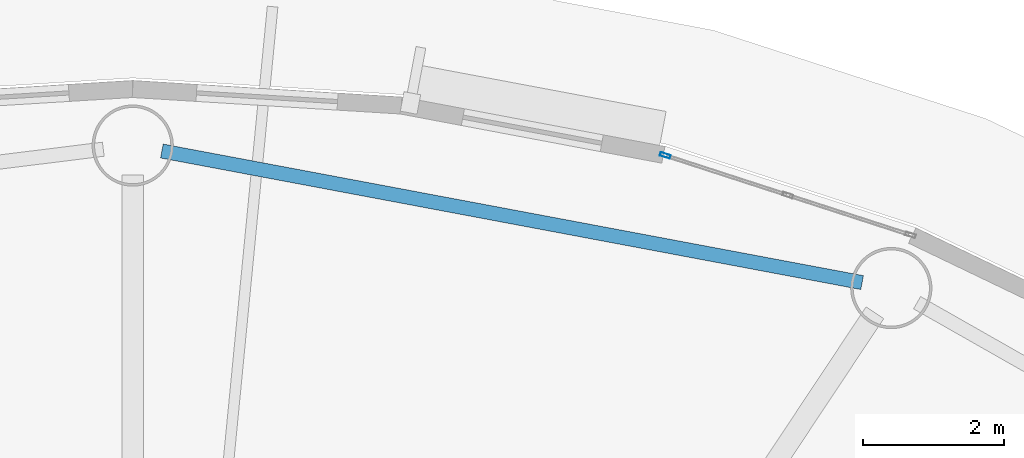
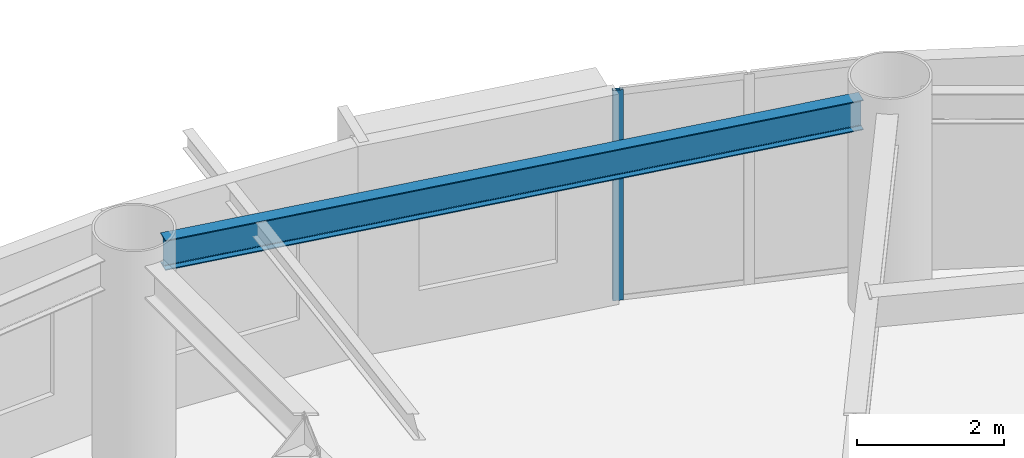
# One storey, part 4 of 19: 1 beam, 1 member, 1 element without a shape of its own.
"""IFC4 building model written with IfcOpenShell, lengths in metres."""

from ifc_helpers import new_model, si_unit, direction, frame, origin, origin_2d, place, context, subcontext, project, spatial, hollow_rectangle, i_section, extrude, source, transform, mapped, material, layer, layer_set, material_profile, profile_set, type_object, element, aggregate, save


model = new_model("IFC4")

# Units and contexts
model_context = context("Model", 3, precision=1e-05, world=origin(), true_north=direction((0.0, 1.0)))
body_context = subcontext(model_context, "Body", "Model", "MODEL_VIEW")
ifc_project = project(units=[si_unit("LENGTHUNIT", "METRE"), si_unit("AREAUNIT", "SQUARE_METRE"), si_unit("VOLUMEUNIT", "CUBIC_METRE"), si_unit("PLANEANGLEUNIT", "RADIAN"), si_unit("MASSUNIT", "GRAM", prefix="KILO")], contexts=[model_context])

# Site, building, storey
site_placement = place(None, origin())
site = spatial("IfcSite", under=ifc_project, at=site_placement, CompositionType="ELEMENT")
building_placement = place(site_placement, origin())
building = spatial("IfcBuilding", under=site, at=building_placement, Name="Linh Dai School and Residence Tower", CompositionType="ELEMENT")
storey_placement = place(building_placement, frame((0.0, 0.0, 210.300048828125)))
storey = spatial("IfcBuildingStorey", under=building, at=storey_placement, Name="L51", CompositionType="ELEMENT", Elevation=210.300048828125)

# Beam
ifc_material_1 = material(Name="Structural Steel S355JR", Category="steel")
ifc_material_profile_1 = material_profile(ifc_material_1, i_section(OverallWidth=0.199951171875, OverallDepth=0.5, WebThickness=0.01025390625, FlangeThickness=0.01611328125, FilletRadius=0.02099609375, at=origin_2d()), Name="IPE 500")
ifc_profile_set_1 = profile_set([ifc_material_profile_1], Name="Structural Steel S355JR")
beam_type = type_object("IfcBeamType", Name="BM-RB50", PredefinedType="BEAM", material=ifc_profile_set_1)
beam_placement = place(storey_placement, frame((46.32177734375, 43.240966796875, 3.25), z_axis=(-0.982806607762, 0.184637947722, 0.0), x_axis=(-0.184637947722, -0.982806607762, 0.0)))
element("IfcBeam", 1, at=beam_placement, inside=storey, type_object=beam_type, Name="L51 Perimeter Elliptical Ring Beam 04", PredefinedType="BEAM", context=body_context, shape_type="SweptSolid", body=[
    extrude(i_section(OverallWidth=0.199951171875, OverallDepth=0.5, WebThickness=0.01025390625, FlangeThickness=0.01611328125, FilletRadius=0.02099609375, at=origin_2d()), origin(), (0.0, 0.0, 1.0), 10.082275390625),
])

# Curtain wall, member
ifc_material_2 = material(Name="Aluminium Anodised Curtain Wall", Category="aluminium")
ifc_layer = layer(ifc_material_2, 0.14990234375)
ifc_layer_set = layer_set([ifc_layer], Name="Aluminium Anodised Curtain Wall")
curtain_wall_type = type_object("IfcCurtainWallType", Name="CW-SYS-4", PredefinedType="USERDEFINED", material=ifc_layer_set)
curtain_wall_placement = place(storey_placement, origin())
curtain_wall = element("IfcCurtainWall", 2, at=curtain_wall_placement, inside=storey, type_object=curtain_wall_type, Name="L51 CW4 Curtain Wall 08", ObjectType="RIBBON CURTAIN WALL", PredefinedType="USERDEFINED")
ifc_material_3 = material(Name="Aluminium Alloy 6063-T6", Category="aluminium")
ifc_material_profile_2 = material_profile(ifc_material_3, hollow_rectangle(XDim=0.052001953125, YDim=0.14990234375, WallThickness=0.00390625, at=origin_2d()), Name="RHS 150x52x4")
ifc_profile_set_2 = profile_set([ifc_material_profile_2], Name="Aluminium Alloy 6063-T6")
member_type = type_object("IfcMemberType", Name="CW-SYS-4-MUL", PredefinedType="MULLION", material=ifc_profile_set_2)
shared_shape = source(origin(), body_context, "Body", "SweptSolid", [
    extrude(hollow_rectangle(XDim=0.052001953125, YDim=0.14990234375, WallThickness=0.00390625, at=origin_2d()), origin(), (0.0, 0.0, 1.0), 3.5),
])
member_placement = place(storey_placement, frame((43.533935546875, 45.040771484375, 0.0), z_axis=(0.0, 0.0, 1.0), x_axis=(0.308501065272, 0.951223997135, 0.0)))
member = element("IfcMember", 3, at=member_placement, type_object=member_type, Name="CW4 mullion 1", PredefinedType="MULLION", context=body_context, shape_type="MappedRepresentation", body=[
    mapped(shared_shape, transform((0.0, 0.0, 0.0), x_axis=(1.0, 0.0, 0.0), y_axis=(0.0, 1.0, 0.0), z_axis=(0.0, 0.0, 1.0), scale=1.0)),
])
aggregate(curtain_wall, [member])

save(model, "model.ifc")
